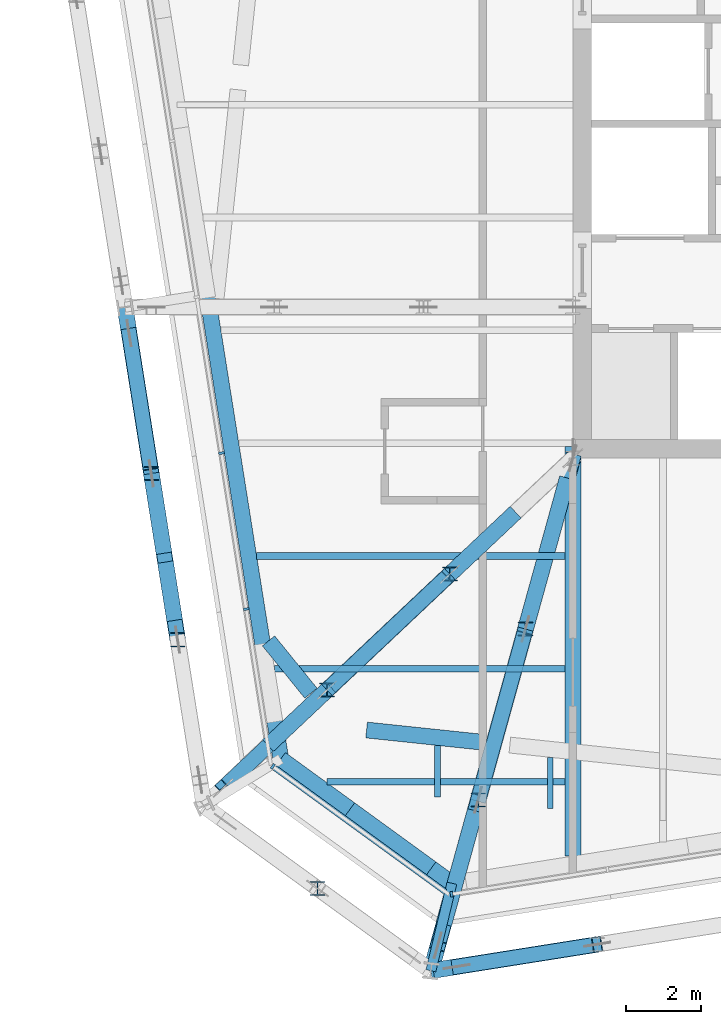
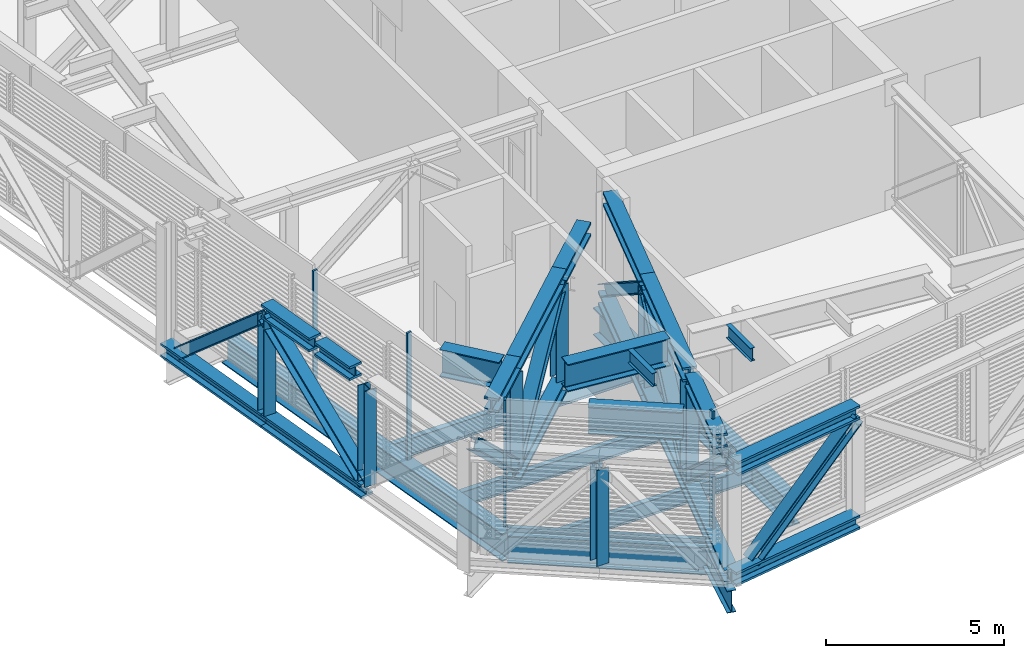
# One storey, part 2 of 32: 28 beams, 20 members, 3 elements without a shape of their own.
"""IFC4 building model written with IfcOpenShell, lengths in metres."""

from ifc_helpers import new_model, si_unit, direction, frame, origin, origin_2d, place, context, subcontext, project, spatial, rectangle, i_section, extrude, material, layer, layer_set, material_profile, profile_set, type_object, element, aggregate, save


model = new_model("IFC4")

# Units and contexts
model_context = context("Model", 3, precision=1e-05, world=origin(), true_north=direction((0.0, 1.0)))
body_context = subcontext(model_context, "Body", "Model", "MODEL_VIEW")
ifc_project = project(units=[si_unit("LENGTHUNIT", "METRE"), si_unit("AREAUNIT", "SQUARE_METRE"), si_unit("VOLUMEUNIT", "CUBIC_METRE"), si_unit("PLANEANGLEUNIT", "RADIAN"), si_unit("MASSUNIT", "GRAM", prefix="KILO")], contexts=[model_context])

# Site, building, storey
site_placement = place(None, origin())
site = spatial("IfcSite", under=ifc_project, at=site_placement, CompositionType="ELEMENT")
building_placement = place(site_placement, origin())
building = spatial("IfcBuilding", under=site, at=building_placement, Name="Millrace Tower", CompositionType="ELEMENT")
storey_placement = place(building_placement, frame((0.0, 0.0, 266.89990234375)))
storey = spatial("IfcBuildingStorey", under=building, at=storey_placement, Name="L61", CompositionType="ELEMENT", Elevation=266.89990234375)

# Beams
ifc_material_1 = material(Name="Steel ASTM A992 Grade 50", Category="steel")
ifc_material_profile_1 = material_profile(ifc_material_1, i_section(OverallWidth=0.424072265625, OverallDepth=0.47509765625, WebThickness=0.0478515625, FlangeThickness=0.0771484375, FilletRadius=0.014892578125, at=origin_2d()))
ifc_profile_set_1 = profile_set([ifc_material_profile_1], Name="Steel ASTM A992 Grade 50")
beam_type_1 = type_object("IfcBeamType", Name="Belt truss chord W14x426", PredefinedType="BEAM", material=ifc_profile_set_1)
beam_1_placement = place(storey_placement, frame((-18.174560546875, -23.0283203125, 0.237548828125), z_axis=(0.987688555037, 0.156433111103, 0.0), x_axis=(-0.156433111103, 0.987688555037, 0.0)))
element("IfcBeam", 1, at=beam_1_placement, inside=storey, type_object=beam_type_1, Name="BLT-L61-R02-B01", PredefinedType="BEAM", context=body_context, shape_type="SweptSolid", body=[
    extrude(i_section(OverallWidth=0.424072265625, OverallDepth=0.47509765625, WebThickness=0.0478515625, FlangeThickness=0.0771484375, FilletRadius=0.014892578125, at=origin_2d()), origin(), (0.0, 0.0, 1.0), 4.47607421875),
])
beam_2_placement = place(storey_placement, frame((-26.306640625, -5.38330078125, 0.237548828125), z_axis=(0.156424684061, -0.9876898897, 0.0), x_axis=(0.9876898897, 0.156424684061, 0.0)))
element("IfcBeam", 2, at=beam_2_placement, inside=storey, type_object=beam_type_1, Name="BLT-L61-R16-B01", PredefinedType="BEAM", context=body_context, shape_type="SweptSolid", body=[
    extrude(i_section(OverallWidth=0.424072265625, OverallDepth=0.47509765625, WebThickness=0.0478515625, FlangeThickness=0.0771484375, FilletRadius=0.014892578125, at=origin_2d()), origin(), (0.0, 0.0, 1.0), 4.476318359375),
])
beam_3_placement = place(storey_placement, frame((-25.6064453125, -9.804443359375, 0.237548828125), z_axis=(0.156433111103, -0.987688555037, 0.0), x_axis=(0.987688555037, 0.156433111103, 0.0)))
element("IfcBeam", 3, at=beam_3_placement, inside=storey, type_object=beam_type_1, Name="BLT-L61-R16-B02", PredefinedType="BEAM", context=body_context, shape_type="SweptSolid", body=[
    extrude(i_section(OverallWidth=0.424072265625, OverallDepth=0.47509765625, WebThickness=0.0478515625, FlangeThickness=0.0771484375, FilletRadius=0.014892578125, at=origin_2d()), origin(), (0.0, 0.0, 1.0), 4.47607421875),
])
beam_4_placement = place(storey_placement, frame((-18.10986328125, -23.01806640625, 4.002685546875), z_axis=(0.987688798749, 0.15643157234, 0.0), x_axis=(-0.15643157234, 0.987688798749, 0.0)))
element("IfcBeam", 4, at=beam_4_placement, inside=storey, type_object=beam_type_1, Name="BLT-L61-R02-T01", PredefinedType="BEAM", context=body_context, shape_type="SweptSolid", body=[
    extrude(i_section(OverallWidth=0.424072265625, OverallDepth=0.47509765625, WebThickness=0.0478515625, FlangeThickness=0.0771484375, FilletRadius=0.014892578125, at=origin_2d()), origin(), (0.0, 0.0, 1.0), 4.410400390625),
])
beam_5_placement = place(storey_placement, frame((-25.6064453125, -9.804443359375, 4.002685546875), z_axis=(0.156435094066, -0.987688240967, 0.0), x_axis=(0.987688240967, 0.156435094066, 0.0)))
element("IfcBeam", 5, at=beam_5_placement, inside=storey, type_object=beam_type_1, Name="BLT-L61-R16-T02-a", PredefinedType="BEAM", context=body_context, shape_type="SweptSolid", body=[
    extrude(i_section(OverallWidth=0.424072265625, OverallDepth=0.47509765625, WebThickness=0.0478515625, FlangeThickness=0.0771484375, FilletRadius=0.014892578125, at=origin_2d()), origin(), (0.0, 0.0, 1.0), 2.14892578125),
])
beam_6_placement = place(storey_placement, frame((-25.233154296875, -12.1611328125, 4.002685546875), z_axis=(0.156346016251, -0.987702345448, 0.0), x_axis=(0.987702345448, 0.156346016251, 0.0)))
element("IfcBeam", 6, at=beam_6_placement, inside=storey, type_object=beam_type_1, Name="BLT-L61-R16-T02-b", PredefinedType="BEAM", context=body_context, shape_type="SweptSolid", body=[
    extrude(i_section(OverallWidth=0.424072265625, OverallDepth=0.47509765625, WebThickness=0.0478515625, FlangeThickness=0.0771484375, FilletRadius=0.014892578125, at=origin_2d()), origin(), (0.0, 0.0, 1.0), 1.5693359375),
])

# Members
ifc_material_2 = material(Name="Steel ASTM A992 Grade 50", Category="steel")
ifc_material_profile_2 = material_profile(ifc_material_2, i_section(OverallWidth=0.398681640625, OverallDepth=0.385986328125, WebThickness=0.02099609375, FlangeThickness=0.033203125, FilletRadius=0.01513671875, at=origin_2d()))
ifc_profile_set_2 = profile_set([ifc_material_profile_2], Name="Steel ASTM A992 Grade 50")
member_type_1 = type_object("IfcMemberType", Name="Belt truss diagonal W14x176", PredefinedType="BRACE", material=ifc_profile_set_2)
for number, where, z_axis, x_axis, name in (
    (7, (-17.4833984375, -22.9189453125, 0.47509765625), (0.744691898166, 0.117965202171, 0.656900439856), (-0.156457227145, 0.987684735163, 0.0), "BLT-L61-R02-D01"),
    (8, (-26.197265625, -6.07470703125, 0.47509765625), (0.117965202171, -0.744691898166, 0.656900439856), (0.987684735163, 0.156457227145, 0.0), "BLT-L61-R16-D01"),
):
    element("IfcMember", number, at=place(storey_placement, frame(where, z_axis=z_axis, x_axis=x_axis)), inside=storey, type_object=member_type_1, Name=name, PredefinedType="BRACE", context=body_context, shape_type="SweptSolid", body=[
        extrude(i_section(OverallWidth=0.398681640625, OverallDepth=0.385986328125, WebThickness=0.02099609375, FlangeThickness=0.033203125, FilletRadius=0.01513671875, at=origin_2d()), origin(), (0.0, 0.0, 1.0), 5.008544921875),
    ])
member_1_placement = place(storey_placement, frame((-24.90625, -14.225341796875, 0.47509765625), z_axis=(-0.126045823865, 0.795829072017, 0.59225715565), x_axis=(-0.987688555037, -0.156433111103, 0.0)))
element("IfcMember", 9, at=member_1_placement, inside=storey, type_object=member_type_1, Name="BLT-L61-R16-D02", PredefinedType="BRACE", context=body_context, shape_type="SweptSolid", body=[
    extrude(i_section(OverallWidth=0.398681640625, OverallDepth=0.385986328125, WebThickness=0.02099609375, FlangeThickness=0.033203125, FilletRadius=0.01513671875, at=origin_2d()), origin(), (0.0, 0.0, 1.0), 5.55517578125),
])
ifc_material_3 = material(Name="Steel ASTM A992 Grade 50", Category="steel")
ifc_material_profile_3 = material_profile(ifc_material_3, i_section(OverallWidth=0.393798828125, OverallDepth=0.3759765625, WebThickness=0.017333984375, FlangeThickness=0.027587890625, FilletRadius=0.01513671875, at=origin_2d()))
ifc_profile_set_3 = profile_set([ifc_material_profile_3], Name="Steel ASTM A992 Grade 50")
member_type_2 = type_object("IfcMemberType", Name="Belt truss post W14x145", PredefinedType="POST", material=ifc_profile_set_3)
for number, where, z_axis, x_axis, name in (
    (10, (-21.1904296875, -20.83740234375, 0.47509765625), (0.0, 0.0, 1.0), (1.0, 0.0, 0.0), "BLT-L61-R01-V01"),
    (11, (-25.6064453125, -9.804443359375, 0.47509765625), (0.0, 0.0, 1.0), (1.0, 0.0, 0.0), "BLT-L61-R16-V01"),
    (12, (-24.90625, -14.225341796875, 0.47509765625), (0.0, 0.0, 1.0), (1.0, 0.0, 0.0), "BLT-L61-R16-V02"),
):
    element("IfcMember", number, at=place(storey_placement, frame(where, z_axis=z_axis, x_axis=x_axis)), inside=storey, type_object=member_type_2, Name=name, PredefinedType="POST", context=body_context, shape_type="SweptSolid", body=[
        extrude(i_section(OverallWidth=0.393798828125, OverallDepth=0.3759765625, WebThickness=0.017333984375, FlangeThickness=0.027587890625, FilletRadius=0.01513671875, at=origin_2d()), origin(), (0.0, 0.0, 1.0), 3.2900390625),
    ])

# Curtain wall, member
ifc_material_4 = material(Name="Aluminium and glass", Category="aluminium")
ifc_layer = layer(ifc_material_4, 0.14990234375)
ifc_layer_set = layer_set([ifc_layer], Name="Aluminium and glass")
curtain_wall_type = type_object("IfcCurtainWallType", Name="CW-5 truss and plant storey louvred infill", PredefinedType="NOTDEFINED", material=ifc_layer_set)
placement = place(storey_placement, origin())
curtain_wall_1 = element("IfcCurtainWall", 13, at=placement, inside=storey, type_object=curtain_wall_type, Name="Curtain wall D-F01 L61", PredefinedType="NOTDEFINED")
ifc_material_5 = material(Name="Aluminium", Category="aluminium")
ifc_material_profile_4 = material_profile(ifc_material_5, rectangle(XDim=0.06494140625, YDim=0.14990234375, at=origin_2d()))
ifc_profile_set_4 = profile_set([ifc_material_profile_4], Name="Aluminium")
member_type_3 = type_object("IfcMemberType", Name="CW-5 truss and plant storey louvred infill mullion", PredefinedType="MULLION", material=ifc_profile_set_4)
member_2_placement = place(storey_placement, frame((-22.3779296875, -17.594970703125, 0.14013671875), z_axis=(0.0, 0.0, 1.0), x_axis=(0.809016955361, -0.587785305991, 0.0)))
member_2 = element("IfcMember", 14, at=member_2_placement, type_object=member_type_3, Name="CW5 mullion D-F01.1", PredefinedType="MULLION", context=body_context, shape_type="SweptSolid", body=[
    extrude(rectangle(XDim=0.06494140625, YDim=0.14990234375, at=origin_2d()), origin(), (0.0, 0.0, 1.0), 4.35986328125),
])

curtain_wall_2 = element("IfcCurtainWall", 15, at=placement, inside=storey, type_object=curtain_wall_type, Name="Curtain wall D-F02 L61", PredefinedType="NOTDEFINED")
member_3_placement = place(storey_placement, frame((-17.62548828125, -20.992431640625, 0.14013671875), z_axis=(0.0, 0.0, 1.0), x_axis=(0.987688339511, 0.156434471884, 0.0)))
member_3 = element("IfcMember", 16, at=member_3_placement, type_object=member_type_3, Name="CW5 mullion D-F02.1", PredefinedType="MULLION", context=body_context, shape_type="SweptSolid", body=[
    extrude(rectangle(XDim=0.06494140625, YDim=0.14990234375, at=origin_2d()), origin(), (0.0, 0.0, 1.0), 4.35986328125),
])
aggregate(curtain_wall_2, [member_3])

# Curtain wall, members
curtain_wall_3 = element("IfcCurtainWall", 17, at=placement, inside=storey, type_object=curtain_wall_type, Name="Curtain wall D-F08 L61", PredefinedType="NOTDEFINED")
member_4_placement = place(storey_placement, frame((-23.7431640625, -9.262451171875, 0.14013671875), z_axis=(0.0, 0.0, 1.0), x_axis=(0.156434471884, -0.987688339511, 0.0)))
member_4 = element("IfcMember", 18, at=member_4_placement, type_object=member_type_3, Name="CW5 mullion D-F08.8", PredefinedType="MULLION", context=body_context, shape_type="SweptSolid", body=[
    extrude(rectangle(XDim=0.06494140625, YDim=0.14990234375, at=origin_2d()), origin(), (0.0, 0.0, 1.0), 4.199951171875),
])
member_5_placement = place(storey_placement, frame((-23.086181640625, -13.410888671875, 0.14013671875), z_axis=(0.0, 0.0, 1.0), x_axis=(0.156434471884, -0.987688339511, 0.0)))
member_5 = element("IfcMember", 19, at=member_5_placement, type_object=member_type_3, Name="CW5 mullion D-F08.9", PredefinedType="MULLION", context=body_context, shape_type="SweptSolid", body=[
    extrude(rectangle(XDim=0.06494140625, YDim=0.14990234375, at=origin_2d()), origin(), (0.0, 0.0, 1.0), 4.35986328125),
])
aggregate(curtain_wall_3, [member_4, member_5])

# Member
ifc_material_6 = material(Name="Aluminium", Category="aluminium")
ifc_material_profile_5 = material_profile(ifc_material_6, rectangle(XDim=0.14990234375, YDim=0.139892578125, at=origin_2d()))
ifc_profile_set_5 = profile_set([ifc_material_profile_5], Name="Aluminium")
member_type_4 = type_object("IfcMemberType", Name="CW-5 truss and plant storey louvred infill transom", PredefinedType="USERDEFINED", material=ifc_profile_set_5)
member_6_placement = place(storey_placement, frame((-22.323486328125, -17.634765625, 0.070068359375), z_axis=(0.809033935994, -0.587761933448, 0.0), x_axis=(0.587761933448, 0.809033935994, 0.0)))
member_6 = element("IfcMember", 20, at=member_6_placement, type_object=member_type_4, Name="CW5 transom D-F01.1", ObjectType="TRANSOM", PredefinedType="USERDEFINED", context=body_context, shape_type="SweptSolid", body=[
    extrude(rectangle(XDim=0.14990234375, YDim=0.139892578125, at=origin_2d()), origin(), (0.0, 0.0, 1.0), 5.598388671875),
])

aggregate(curtain_wall_1, [member_2, member_6])

# Beams
ifc_material_7 = material(Name="Steel ASTM A992 Grade 50", Category="steel")
ifc_material_profile_6 = material_profile(ifc_material_7, i_section(OverallWidth=0.15234375, OverallDepth=0.449462890625, WebThickness=0.007568359375, FlangeThickness=0.0107421875, FilletRadius=0.01025390625, at=origin_2d()))
ifc_profile_set_6 = profile_set([ifc_material_profile_6], Name="Steel ASTM A992 Grade 50")
beam_type_2 = type_object("IfcBeamType", Name="Floor beam W18x35", PredefinedType="JOIST", material=ifc_profile_set_6)
beam_7_placement = place(storey_placement, frame((-15.0, -18.716796875, 4.115234375), z_axis=(0.0, 1.0, 0.0), x_axis=(-1.0, 0.0, 0.0)))
element("IfcBeam", 21, at=beam_7_placement, inside=storey, type_object=beam_type_2, Name="BM-D-L61-R2-S003", PredefinedType="JOIST", context=body_context, shape_type="SweptSolid", body=[
    extrude(i_section(OverallWidth=0.15234375, OverallDepth=0.449462890625, WebThickness=0.007568359375, FlangeThickness=0.0107421875, FilletRadius=0.01025390625, at=origin_2d()), origin(), (0.0, 0.0, 1.0), 1.364990234375),
])
beam_8_placement = place(storey_placement, frame((-18.0, -18.401611328125, 4.115234375), z_axis=(0.0, 1.0, 0.0), x_axis=(-1.0, 0.0, 0.0)))
element("IfcBeam", 22, at=beam_8_placement, inside=storey, type_object=beam_type_2, Name="BM-D-L61-R2-S002", PredefinedType="JOIST", context=body_context, shape_type="SweptSolid", body=[
    extrude(i_section(OverallWidth=0.15234375, OverallDepth=0.449462890625, WebThickness=0.007568359375, FlangeThickness=0.0107421875, FilletRadius=0.01025390625, at=origin_2d()), origin(), (0.0, 0.0, 1.0), 1.365234375),
])
ifc_material_8 = material(Name="Steel ASTM A992 Grade 50", Category="steel")
ifc_material_profile_7 = material_profile(ifc_material_8, i_section(OverallWidth=0.1650390625, OverallDepth=0.52587890625, WebThickness=0.0087890625, FlangeThickness=0.011474609375, FilletRadius=0.0126953125, at=origin_2d()))
ifc_profile_set_7 = profile_set([ifc_material_profile_7], Name="Steel ASTM A992 Grade 50")
beam_type_3 = type_object("IfcBeamType", Name="Floor beam W21x44", PredefinedType="JOIST", material=ifc_profile_set_7)
beam_9_placement = place(storey_placement, frame((-22.331787109375, -15.0, -0.5126953125), z_axis=(1.0, 0.0, 0.0), x_axis=(0.0, 1.0, 0.0)))
element("IfcBeam", 23, at=beam_9_placement, inside=storey, type_object=beam_type_3, Name="BM-D-L61-S1-S002", PredefinedType="JOIST", context=body_context, shape_type="SweptSolid", body=[
    extrude(i_section(OverallWidth=0.1650390625, OverallDepth=0.52587890625, WebThickness=0.0087890625, FlangeThickness=0.011474609375, FilletRadius=0.0126953125, at=origin_2d()), origin(), (0.0, 0.0, 1.0), 7.7197265625),
])
beam_10_placement = place(storey_placement, frame((-20.939697265625, -18.0, -0.5126953125), z_axis=(1.0, 0.0, 0.0), x_axis=(0.0, 1.0, 0.0)))
element("IfcBeam", 24, at=beam_10_placement, inside=storey, type_object=beam_type_3, Name="BM-D-L61-S1-S001", PredefinedType="JOIST", context=body_context, shape_type="SweptSolid", body=[
    extrude(i_section(OverallWidth=0.1650390625, OverallDepth=0.52587890625, WebThickness=0.0087890625, FlangeThickness=0.011474609375, FilletRadius=0.0126953125, at=origin_2d()), origin(), (0.0, 0.0, 1.0), 6.32763671875),
])
ifc_material_9 = material(Name="Steel ASTM A992 Grade 50", Category="steel")
ifc_material_profile_8 = material_profile(ifc_material_9, i_section(OverallWidth=0.177978515625, OverallDepth=0.599365234375, WebThickness=0.010009765625, FlangeThickness=0.012939453125, FilletRadius=0.012939453125, at=origin_2d()))
ifc_profile_set_8 = profile_set([ifc_material_profile_8], Name="Steel ASTM A992 Grade 50")
beam_type_4 = type_object("IfcBeamType", Name="Floor beam W24x55", PredefinedType="JOIST", material=ifc_profile_set_8)
beam_11_placement = place(storey_placement, frame((-22.806884765625, -12.0, -0.549560546875), z_axis=(1.0, 0.0, 0.0), x_axis=(0.0, 1.0, 0.0)))
element("IfcBeam", 25, at=beam_11_placement, inside=storey, type_object=beam_type_4, Name="BM-D-L61-S1-S004", PredefinedType="JOIST", context=body_context, shape_type="SweptSolid", body=[
    extrude(i_section(OverallWidth=0.177978515625, OverallDepth=0.599365234375, WebThickness=0.010009765625, FlangeThickness=0.012939453125, FilletRadius=0.012939453125, at=origin_2d()), origin(), (0.0, 0.0, 1.0), 8.19482421875),
])
ifc_material_10 = material(Name="Steel ASTM A992 Grade 50", Category="steel")
ifc_material_profile_9 = material_profile(ifc_material_10, i_section(OverallWidth=0.424072265625, OverallDepth=0.947509765625, WebThickness=0.02392578125, FlangeThickness=0.042724609375, FilletRadius=0.024169921875, at=origin_2d()))
ifc_profile_set_9 = profile_set([ifc_material_profile_9], Name="Steel ASTM A992 Grade 50")
beam_type_5 = type_object("IfcBeamType", Name="Girder short span W36x302", PredefinedType="BEAM", material=ifc_profile_set_9)
beam_12_placement = place(storey_placement, frame((-14.39990234375, -19.970703125, -0.7236328125), z_axis=(0.0, 1.0, 0.0), x_axis=(-1.0, 0.0, 0.0)))
element("IfcBeam", 26, at=beam_12_placement, inside=storey, type_object=beam_type_5, Name="BM-D-L61-S1-G055", PredefinedType="BEAM", context=body_context, shape_type="SweptSolid", body=[
    extrude(i_section(OverallWidth=0.424072265625, OverallDepth=0.947509765625, WebThickness=0.02392578125, FlangeThickness=0.042724609375, FilletRadius=0.024169921875, at=origin_2d()), origin(), (0.0, 0.0, 1.0), 10.878662109375),
])
ifc_material_11 = material(Name="Steel ASTM A992 Grade 50", Category="steel")
ifc_material_profile_10 = material_profile(ifc_material_11, i_section(OverallWidth=0.2666015625, OverallDepth=0.7568359375, WebThickness=0.013916015625, FlangeThickness=0.019287109375, FilletRadius=0.0166015625, at=origin_2d()))
ifc_profile_set_10 = profile_set([ifc_material_profile_10], Name="Steel ASTM A992 Grade 50")
beam_type_6 = type_object("IfcBeamType", Name="Link beam W30x108", PredefinedType="BEAM", material=ifc_profile_set_10)
beam_13_placement = place(storey_placement, frame((-17.615966796875, -20.70166015625, -0.62841796875), z_axis=(-0.233450132073, -0.972368775638, 0.0), x_axis=(0.972368775638, -0.233450132073, 0.0)))
element("IfcBeam", 27, at=beam_13_placement, inside=storey, type_object=beam_type_6, Name="LNK-D-L61-S1-16", PredefinedType="BEAM", context=body_context, shape_type="SweptSolid", body=[
    extrude(i_section(OverallWidth=0.2666015625, OverallDepth=0.7568359375, WebThickness=0.013916015625, FlangeThickness=0.019287109375, FilletRadius=0.0166015625, at=origin_2d()), origin(), (0.0, 0.0, 1.0), 2.392822265625),
])
ifc_material_12 = material(Name="Steel ASTM A992 Grade 50", Category="steel")
ifc_material_profile_11 = material_profile(ifc_material_12, i_section(OverallWidth=0.424072265625, OverallDepth=0.47509765625, WebThickness=0.0478515625, FlangeThickness=0.0771484375, FilletRadius=0.014892578125, at=origin_2d()))
ifc_profile_set_11 = profile_set([ifc_material_profile_11], Name="Steel ASTM A992 Grade 50")
beam_type_7 = type_object("IfcBeamType", Name="Outrigger truss chord W14x426", PredefinedType="BEAM", material=ifc_profile_set_11)
for number, where, z_axis, x_axis, name in (
    (28, (-17.668701171875, -12.482177734375, 0.237548828125), (-0.727561505398, -0.686042459228, 0.0), (0.686042459228, -0.727561505398, 0.0), "BLT-L61-O01-B02"),
    (29, (-17.668701171875, -12.482177734375, 4.002685546875), (-0.727561505398, -0.686042459228, 0.0), (0.686042459228, -0.727561505398, 0.0), "BLT-L61-O01-T02"),
):
    element("IfcBeam", number, at=place(storey_placement, frame(where, z_axis=z_axis, x_axis=x_axis)), inside=storey, type_object=beam_type_7, Name=name, PredefinedType="BEAM", context=body_context, shape_type="SweptSolid", body=[
        extrude(i_section(OverallWidth=0.424072265625, OverallDepth=0.47509765625, WebThickness=0.0478515625, FlangeThickness=0.0771484375, FilletRadius=0.014892578125, at=origin_2d()), origin(), (0.0, 0.0, 1.0), 4.492431640625),
    ])
beam_14_placement = place(storey_placement, frame((-14.39990234375, -9.39990234375, 0.237548828125), z_axis=(-0.266927924359, -0.96371649524, 0.0), x_axis=(0.96371649524, -0.266927924359, 0.0)))
element("IfcBeam", 30, at=beam_14_placement, inside=storey, type_object=beam_type_7, Name="BLT-L61-O02-B01", PredefinedType="BEAM", context=body_context, shape_type="SweptSolid", body=[
    extrude(i_section(OverallWidth=0.424072265625, OverallDepth=0.47509765625, WebThickness=0.0478515625, FlangeThickness=0.0771484375, FilletRadius=0.014892578125, at=origin_2d()), origin(), (0.0, 0.0, 1.0), 4.714111328125),
])
beam_15_placement = place(storey_placement, frame((-15.658203125, -13.94287109375, 0.237548828125), z_axis=(-0.266941247718, -0.963712804868, 0.0), x_axis=(0.963712804868, -0.266941247718, 0.0)))
element("IfcBeam", 31, at=beam_15_placement, inside=storey, type_object=beam_type_7, Name="BLT-L61-O02-B02", PredefinedType="BEAM", context=body_context, shape_type="SweptSolid", body=[
    extrude(i_section(OverallWidth=0.424072265625, OverallDepth=0.47509765625, WebThickness=0.0478515625, FlangeThickness=0.0771484375, FilletRadius=0.014892578125, at=origin_2d()), origin(), (0.0, 0.0, 1.0), 4.7138671875),
])
beam_16_placement = place(storey_placement, frame((-15.658203125, -13.94287109375, 4.002685546875), z_axis=(-0.266952465143, -0.963709697655, 0.0), x_axis=(0.963709697655, -0.266952465143, 0.0)))
element("IfcBeam", 32, at=beam_16_placement, inside=storey, type_object=beam_type_7, Name="BLT-L61-O02-T02", PredefinedType="BEAM", context=body_context, shape_type="SweptSolid", body=[
    extrude(i_section(OverallWidth=0.424072265625, OverallDepth=0.47509765625, WebThickness=0.0478515625, FlangeThickness=0.0771484375, FilletRadius=0.014892578125, at=origin_2d()), origin(), (0.0, 0.0, 1.0), 4.75390625),
])
beam_17_placement = place(storey_placement, frame((-16.91650390625, -18.485595703125, 0.237548828125), z_axis=(-0.266893144344, -0.963726127851, 0.0), x_axis=(0.963726127851, -0.266893144344, 0.0)))
element("IfcBeam", 33, at=beam_17_placement, inside=storey, type_object=beam_type_7, Name="BLT-L61-O02-B03", PredefinedType="BEAM", context=body_context, shape_type="SweptSolid", body=[
    extrude(i_section(OverallWidth=0.424072265625, OverallDepth=0.47509765625, WebThickness=0.0478515625, FlangeThickness=0.0771484375, FilletRadius=0.014892578125, at=origin_2d()), origin(), (0.0, 0.0, 1.0), 4.713623046875),
])
beam_18_placement = place(storey_placement, frame((-14.54541015625, -9.92529296875, 4.002685546875), z_axis=(-0.26693096424, -0.963715653256, 0.0), x_axis=(0.963715653256, -0.26693096424, 0.0)))
element("IfcBeam", 34, at=beam_18_placement, inside=storey, type_object=beam_type_7, Name="BLT-L61-O02-T01", PredefinedType="BEAM", context=body_context, shape_type="SweptSolid", body=[
    extrude(i_section(OverallWidth=0.424072265625, OverallDepth=0.47509765625, WebThickness=0.0478515625, FlangeThickness=0.0771484375, FilletRadius=0.014892578125, at=origin_2d()), origin(), (0.0, 0.0, 1.0), 4.1689453125),
])
beam_19_placement = place(storey_placement, frame((-15.9208984375, -10.834228515625, 4.002685546875), z_axis=(-0.727585058033, -0.686017480336, 0.0), x_axis=(0.686017480336, -0.727585058033, 0.0)))
element("IfcBeam", 35, at=beam_19_placement, inside=storey, type_object=beam_type_7, Name="BLT-L61-O01-T01", PredefinedType="BEAM", context=body_context, shape_type="SweptSolid", body=[
    extrude(i_section(OverallWidth=0.424072265625, OverallDepth=0.47509765625, WebThickness=0.0478515625, FlangeThickness=0.0771484375, FilletRadius=0.014892578125, at=origin_2d()), origin(), (0.0, 0.0, 1.0), 2.402099609375),
])
beam_20_placement = place(storey_placement, frame((-20.937255859375, -15.564208984375, 4.002685546875), z_axis=(-0.727607193166, -0.685994003219, 0.0), x_axis=(0.685994003219, -0.727607193166, 0.0)))
element("IfcBeam", 36, at=beam_20_placement, inside=storey, type_object=beam_type_7, Name="BLT-L61-O01-T03", PredefinedType="BEAM", context=body_context, shape_type="SweptSolid", body=[
    extrude(i_section(OverallWidth=0.424072265625, OverallDepth=0.47509765625, WebThickness=0.0478515625, FlangeThickness=0.0771484375, FilletRadius=0.014892578125, at=origin_2d()), origin(), (0.0, 0.0, 1.0), 2.153076171875),
])
beam_21_placement = place(storey_placement, frame((-16.99609375, -18.773681640625, 4.002685546875), z_axis=(-0.26697947182, -0.963702216261, 0.0), x_axis=(0.963702216261, -0.26697947182, 0.0)))
element("IfcBeam", 37, at=beam_21_placement, inside=storey, type_object=beam_type_7, Name="BLT-L61-O02-T03", PredefinedType="BEAM", context=body_context, shape_type="SweptSolid", body=[
    extrude(i_section(OverallWidth=0.424072265625, OverallDepth=0.47509765625, WebThickness=0.0478515625, FlangeThickness=0.0771484375, FilletRadius=0.014892578125, at=origin_2d()), origin(), (0.0, 0.0, 1.0), 3.12744140625),
])

# Members
ifc_material_13 = material(Name="Steel ASTM A992 Grade 50", Category="steel")
ifc_material_profile_12 = material_profile(ifc_material_13, i_section(OverallWidth=0.398681640625, OverallDepth=0.385986328125, WebThickness=0.02099609375, FlangeThickness=0.033203125, FilletRadius=0.01513671875, at=origin_2d()))
ifc_profile_set_12 = profile_set([ifc_material_profile_12], Name="Steel ASTM A992 Grade 50")
member_type_5 = type_object("IfcMemberType", Name="Outrigger truss diagonal W14x176", PredefinedType="BRACE", material=ifc_profile_set_12)
member_7_placement = place(storey_placement, frame((-20.937255859375, -15.564208984375, 0.47509765625), z_axis=(0.586986101344, 0.553489135298, 0.590844390627), x_axis=(-0.686042459228, 0.727561505398, 0.0)))
element("IfcMember", 38, at=member_7_placement, inside=storey, type_object=member_type_5, Name="BLT-L61-O01-D02", PredefinedType="BRACE", context=body_context, shape_type="SweptSolid", body=[
    extrude(i_section(OverallWidth=0.398681640625, OverallDepth=0.385986328125, WebThickness=0.02099609375, FlangeThickness=0.033203125, FilletRadius=0.01513671875, at=origin_2d()), origin(), (0.0, 0.0, 1.0), 5.568359375),
])
member_8_placement = place(storey_placement, frame((-20.937255859375, -15.564208984375, 0.47509765625), z_axis=(-0.549600973797, -0.518238271143, 0.655261675916), x_axis=(0.686043049683, -0.727560948637, 0.0)))
element("IfcMember", 39, at=member_8_placement, inside=storey, type_object=member_type_5, Name="BLT-L61-O01-D03", PredefinedType="BRACE", context=body_context, shape_type="SweptSolid", body=[
    extrude(i_section(OverallWidth=0.398681640625, OverallDepth=0.385986328125, WebThickness=0.02099609375, FlangeThickness=0.033203125, FilletRadius=0.01513671875, at=origin_2d()), origin(), (0.0, 0.0, 1.0), 5.02099609375),
])
member_9_placement = place(storey_placement, frame((-14.39990234375, -9.39990234375, 0.47509765625), z_axis=(-0.218888739608, -0.79027583753, 0.572321430919), x_axis=(0.96371649524, -0.266927924359, 0.0)))
element("IfcMember", 40, at=member_9_placement, inside=storey, type_object=member_type_5, Name="BLT-L61-O02-D01", PredefinedType="BRACE", context=body_context, shape_type="SweptSolid", body=[
    extrude(i_section(OverallWidth=0.398681640625, OverallDepth=0.385986328125, WebThickness=0.02099609375, FlangeThickness=0.033203125, FilletRadius=0.01513671875, at=origin_2d()), origin(), (0.0, 0.0, 1.0), 5.74853515625),
])
member_10_placement = place(storey_placement, frame((-16.91650390625, -18.485595703125, 0.47509765625), z_axis=(0.218896086292, 0.790259890886, 0.572340640059), x_axis=(-0.963712804868, 0.266941247718, 0.0)))
element("IfcMember", 41, at=member_10_placement, inside=storey, type_object=member_type_5, Name="BLT-L61-O02-D02", PredefinedType="BRACE", context=body_context, shape_type="SweptSolid", body=[
    extrude(i_section(OverallWidth=0.398681640625, OverallDepth=0.385986328125, WebThickness=0.02099609375, FlangeThickness=0.033203125, FilletRadius=0.01513671875, at=origin_2d()), origin(), (0.0, 0.0, 1.0), 5.748291015625),
])
member_11_placement = place(storey_placement, frame((-16.91650390625, -18.485595703125, 0.47509765625), z_axis=(-0.206419401689, -0.74533021886, 0.633935245479), x_axis=(0.963723282466, -0.266903418547, 0.0)))
element("IfcMember", 42, at=member_11_placement, inside=storey, type_object=member_type_5, Name="BLT-L61-O02-D03", PredefinedType="BRACE", context=body_context, shape_type="SweptSolid", body=[
    extrude(i_section(OverallWidth=0.398681640625, OverallDepth=0.385986328125, WebThickness=0.02099609375, FlangeThickness=0.033203125, FilletRadius=0.01513671875, at=origin_2d()), origin(), (0.0, 0.0, 1.0), 5.18994140625),
])
ifc_material_14 = material(Name="Steel ASTM A992 Grade 50", Category="steel")
ifc_material_profile_13 = material_profile(ifc_material_14, i_section(OverallWidth=0.393798828125, OverallDepth=0.3759765625, WebThickness=0.017333984375, FlangeThickness=0.027587890625, FilletRadius=0.01513671875, at=origin_2d()))
ifc_profile_set_13 = profile_set([ifc_material_profile_13], Name="Steel ASTM A992 Grade 50")
member_type_6 = type_object("IfcMemberType", Name="Outrigger truss post W14x145", PredefinedType="POST", material=ifc_profile_set_13)
for number, where, z_axis, x_axis, name in (
    (43, (-17.668701171875, -12.482177734375, 0.47509765625), (0.0, 0.0, 1.0), (1.0, 0.0, 0.0), "BLT-L61-O01-V01"),
    (44, (-20.937255859375, -15.564208984375, 0.47509765625), (0.0, 0.0, 1.0), (1.0, 0.0, 0.0), "BLT-L61-O01-V02"),
    (45, (-15.658203125, -13.94287109375, 0.47509765625), (0.0, 0.0, 1.0), (1.0, 0.0, 0.0), "BLT-L61-O02-V01"),
    (46, (-16.91650390625, -18.485595703125, 0.47509765625), (0.0, 0.0, 1.0), (1.0, 0.0, 0.0), "BLT-L61-O02-V02"),
):
    element("IfcMember", number, at=place(storey_placement, frame(where, z_axis=z_axis, x_axis=x_axis)), inside=storey, type_object=member_type_6, Name=name, PredefinedType="POST", context=body_context, shape_type="SweptSolid", body=[
        extrude(i_section(OverallWidth=0.393798828125, OverallDepth=0.3759765625, WebThickness=0.017333984375, FlangeThickness=0.027587890625, FilletRadius=0.01513671875, at=origin_2d()), origin(), (0.0, 0.0, 1.0), 3.2900390625),
    ])

# Beams
ifc_material_15 = material(Name="Steel ASTM A992 Grade 50", Category="steel")
ifc_material_profile_14 = material_profile(ifc_material_15, i_section(OverallWidth=0.421630859375, OverallDepth=0.937255859375, WebThickness=0.021240234375, FlangeThickness=0.03662109375, FilletRadius=0.024169921875, at=origin_2d()))
ifc_profile_set_14 = profile_set([ifc_material_profile_14], Name="Steel ASTM A992 Grade 50")
beam_type_8 = type_object("IfcBeamType", Name="Ring beam medium span W36x262", PredefinedType="SPANDREL", material=ifc_profile_set_14)
beam_22_placement = place(storey_placement, frame((-22.165771484375, -17.39599609375, -0.718505859375), z_axis=(-0.156423449039, 0.987690085295, 0.0), x_axis=(-0.987690085295, -0.156423449039, 0.0)))
element("IfcBeam", 47, at=beam_22_placement, inside=storey, type_object=beam_type_8, Name="RNG-D-L61-S1-01", PredefinedType="SPANDREL", context=body_context, shape_type="SweptSolid", body=[
    extrude(i_section(OverallWidth=0.421630859375, OverallDepth=0.937255859375, WebThickness=0.021240234375, FlangeThickness=0.03662109375, FilletRadius=0.024169921875, at=origin_2d()), origin(), (0.0, 0.0, 1.0), 12.5126953125),
])
ifc_material_16 = material(Name="Steel ASTM A992 Grade 50", Category="steel")
ifc_material_profile_15 = material_profile(ifc_material_16, i_section(OverallWidth=0.421630859375, OverallDepth=0.937255859375, WebThickness=0.021240234375, FlangeThickness=0.03662109375, FilletRadius=0.024169921875, at=origin_2d()))
ifc_profile_set_15 = profile_set([ifc_material_profile_15], Name="Steel ASTM A992 Grade 50")
beam_type_9 = type_object("IfcBeamType", Name="Ring beam short span W36x262", PredefinedType="SPANDREL", material=ifc_profile_set_15)
beam_23_placement = place(storey_placement, frame((-17.615966796875, -20.70166015625, -0.718505859375), z_axis=(-0.809013826685, 0.587789612219, 0.0), x_axis=(-0.587789612219, -0.809013826685, 0.0)))
element("IfcBeam", 48, at=beam_23_placement, inside=storey, type_object=beam_type_9, Name="RNG-D-L61-S1-16", PredefinedType="SPANDREL", context=body_context, shape_type="SweptSolid", body=[
    extrude(i_section(OverallWidth=0.421630859375, OverallDepth=0.937255859375, WebThickness=0.021240234375, FlangeThickness=0.03662109375, FilletRadius=0.024169921875, at=origin_2d()), origin(), (0.0, 0.0, 1.0), 5.623779296875),
])
beam_24_placement = place(storey_placement, frame((-22.490966796875, -14.256591796875, 3.87158203125), z_axis=(0.629355068659, -0.777117878801, 0.0), x_axis=(0.777117878801, 0.629355068659, 0.0)))
element("IfcBeam", 49, at=beam_24_placement, inside=storey, type_object=beam_type_9, Name="RNG-D-L61-R2-03", PredefinedType="SPANDREL", context=body_context, shape_type="SweptSolid", body=[
    extrude(i_section(OverallWidth=0.421630859375, OverallDepth=0.937255859375, WebThickness=0.021240234375, FlangeThickness=0.03662109375, FilletRadius=0.024169921875, at=origin_2d()), origin(), (0.0, 0.0, 1.0), 1.791015625),
])
beam_25_placement = place(storey_placement, frame((-19.884033203125, -16.62646484375, 3.87158203125), z_axis=(0.994526667988, -0.104483044848, 0.0), x_axis=(0.104483044848, 0.994526667988, 0.0)))
element("IfcBeam", 50, at=beam_25_placement, inside=storey, type_object=beam_type_9, Name="RNG-D-L61-R2-04-a", PredefinedType="SPANDREL", context=body_context, shape_type="SweptSolid", body=[
    extrude(i_section(OverallWidth=0.421630859375, OverallDepth=0.937255859375, WebThickness=0.021240234375, FlangeThickness=0.03662109375, FilletRadius=0.024169921875, at=origin_2d()), origin(), (0.0, 0.0, 1.0), 3.14990234375),
])
beam_26_placement = place(storey_placement, frame((-18.164306640625, -20.30322265625, 3.87158203125), z_axis=(-0.809032399232, 0.587764048742, 0.0), x_axis=(-0.587764048742, -0.809032399232, 0.0)))
element("IfcBeam", 51, at=beam_26_placement, inside=storey, type_object=beam_type_9, Name="RNG-D-L61-R2-01", PredefinedType="SPANDREL", context=body_context, shape_type="SweptSolid", body=[
    extrude(i_section(OverallWidth=0.421630859375, OverallDepth=0.937255859375, WebThickness=0.021240234375, FlangeThickness=0.03662109375, FilletRadius=0.024169921875, at=origin_2d()), origin(), (0.0, 0.0, 1.0), 2.671142578125),
])

save(model, "model.ifc")
